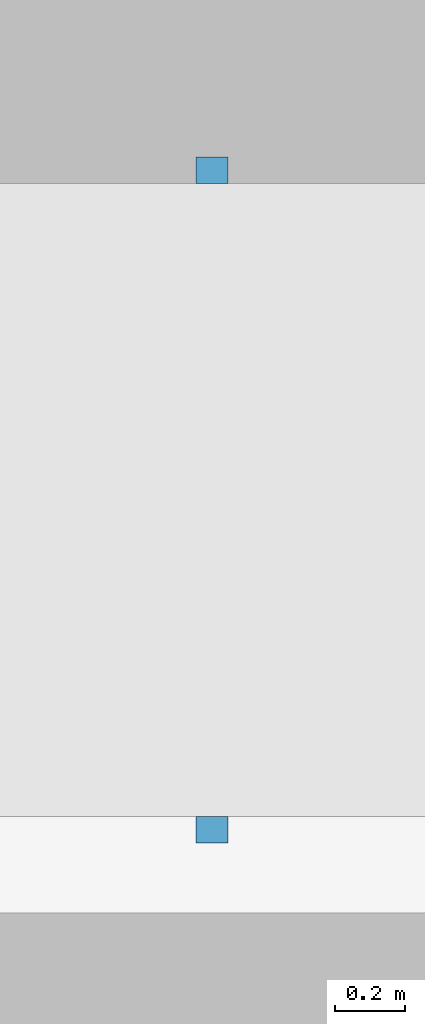
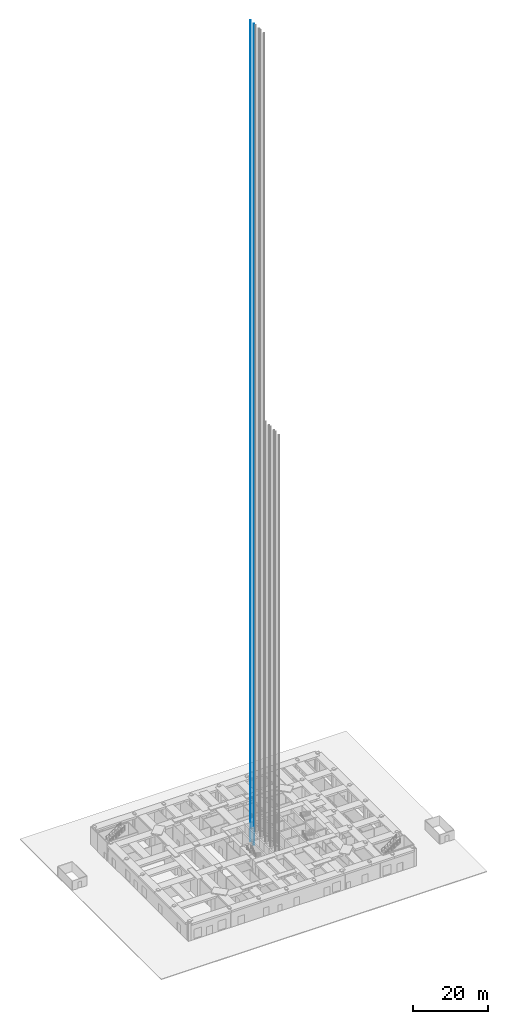
# One storey, part 14 of 17: 1 discrete accessory.
"""IFC4 building model written with IfcOpenShell, lengths in metres."""

from ifc_helpers import new_model, si_unit, direction, frame, origin, origin_2d, place, context, subcontext, project, spatial, rectangle, extrude, material, type_object, element, save


model = new_model("IFC4")

# Units and contexts
model_context = context("Model", 3, precision=1e-05, world=origin(), true_north=direction((0.0, 1.0)))
body_context = subcontext(model_context, "Body", "Model", "MODEL_VIEW")
ifc_project = project(units=[si_unit("LENGTHUNIT", "METRE"), si_unit("AREAUNIT", "SQUARE_METRE"), si_unit("VOLUMEUNIT", "CUBIC_METRE"), si_unit("PLANEANGLEUNIT", "RADIAN"), si_unit("MASSUNIT", "GRAM", prefix="KILO")], contexts=[model_context])

# Site, building, storey
site_placement = place(None, origin())
site = spatial("IfcSite", under=ifc_project, at=site_placement, CompositionType="ELEMENT")
building_placement = place(site_placement, origin())
building = spatial("IfcBuilding", under=site, at=building_placement, Name="Jalousie Tower", CompositionType="ELEMENT")
storey_placement = place(building_placement, origin())
storey = spatial("IfcBuildingStorey", under=building, at=storey_placement, Name="L00", CompositionType="ELEMENT", Elevation=0.0)

# Discrete accessory
ifc_material = material(Name="Steel ASTM A992 Grade 50", Category="steel")
discrete_accessory_type = type_object("IfcDiscreteAccessoryType", Name="LIFT GUIDE RAIL", PredefinedType="USERDEFINED", material=ifc_material)
discrete_accessory_placement = place(storey_placement, frame((27.52490234375, 25.10009765625, 0.0), z_axis=(0.0, 0.0, 1.0), x_axis=(1.0, 0.0, 0.0)))
element("IfcDiscreteAccessory", 1, at=discrete_accessory_placement, inside=storey, type_object=discrete_accessory_type, Name="Lift P6 guide rails", ObjectType="LIFT GUIDE RAILS", PredefinedType="USERDEFINED", context=body_context, shape_type="SweptSolid", body=[
    extrude(rectangle(XDim=0.09, YDim=0.075, at=origin_2d()), frame((0.0, -0.9375, 0.0)), (0.0, 0.0, 1.0), 266.25),
    extrude(rectangle(XDim=0.09, YDim=0.075, at=origin_2d()), frame((0.0, 0.9375, 0.0)), (0.0, 0.0, 1.0), 266.25),
])

save(model, "model.ifc")
